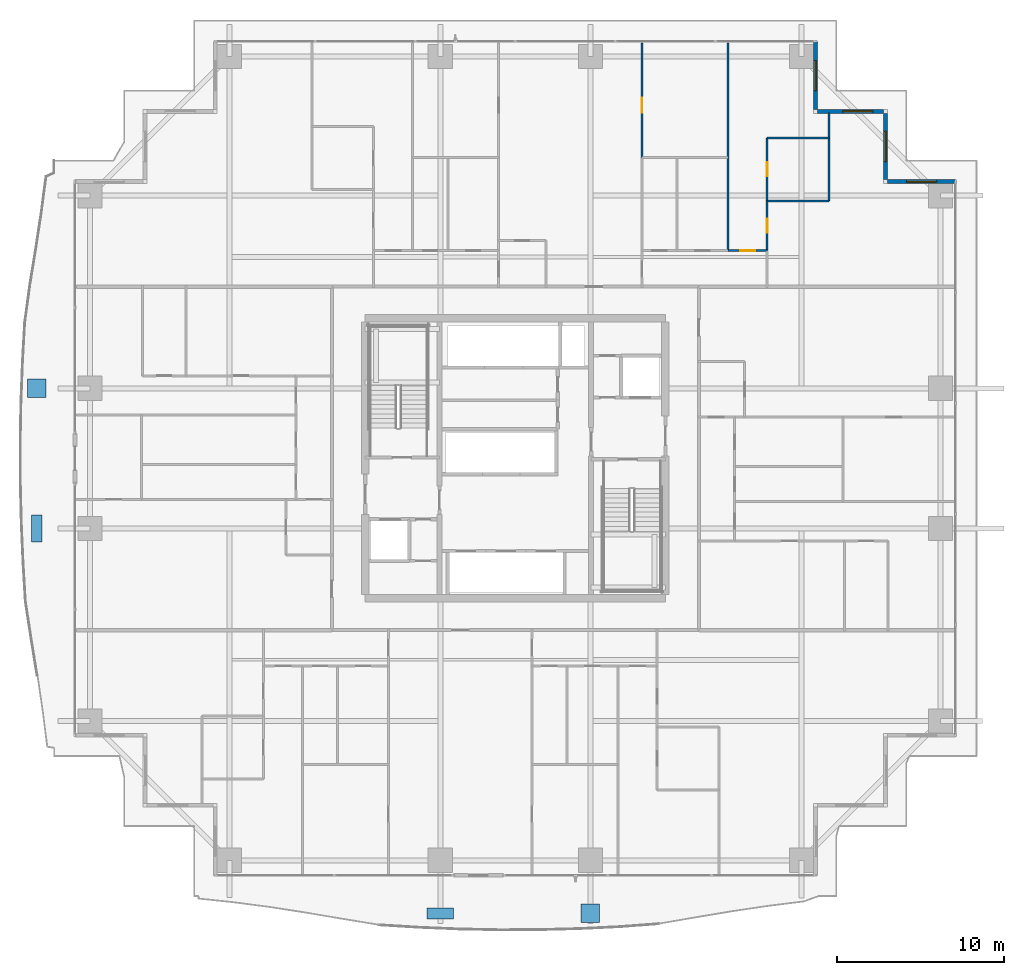
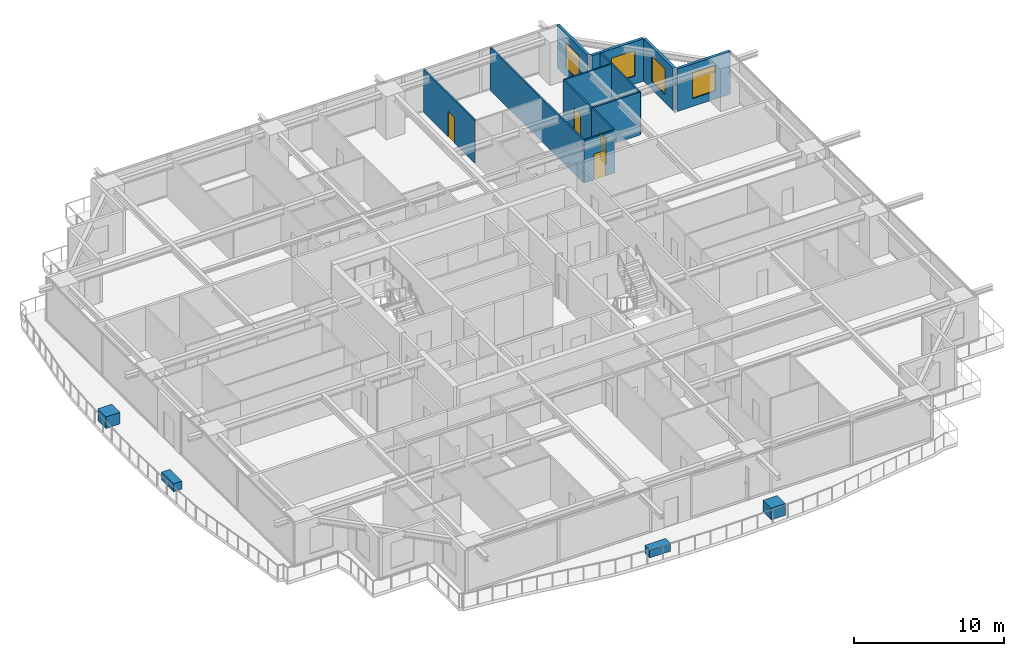
# One storey, part 32 of 41: 12 walls, 4 discrete accessories, 4 doors, 4 windows, 8 openings.
"""IFC4 building model written with IfcOpenShell, lengths in metres."""

from ifc_helpers import new_model, si_unit, direction, frame, frame_2d, origin, origin_2d, place, context, subcontext, project, spatial, rectangle, extrude, source, transform, mapped, material, layer, layer_set, type_object, element, fill, save


model = new_model("IFC4")

# Units and contexts
model_context = context("Model", 3, precision=1e-05, world=origin(), true_north=direction((0.0, 1.0)))
body_context = subcontext(model_context, "Body", "Model", "MODEL_VIEW")
ifc_project = project(units=[si_unit("LENGTHUNIT", "METRE"), si_unit("AREAUNIT", "SQUARE_METRE"), si_unit("VOLUMEUNIT", "CUBIC_METRE"), si_unit("PLANEANGLEUNIT", "RADIAN"), si_unit("MASSUNIT", "GRAM", prefix="KILO")], contexts=[model_context])

# Site, building, storey
site_placement = place(None, origin())
site = spatial("IfcSite", under=ifc_project, at=site_placement, CompositionType="ELEMENT")
building_placement = place(site_placement, origin())
building = spatial("IfcBuilding", under=site, at=building_placement, Name="Serunith Strait Residences", CompositionType="ELEMENT")
storey_placement = place(building_placement, frame((0.0, 0.0, 75.449951171875)))
storey = spatial("IfcBuildingStorey", under=building, at=storey_placement, Name="L18", CompositionType="ELEMENT", Elevation=75.449951171875)

# Wall, opening, window
ifc_material_1 = material(Name="Pale-Champagne Aluminium Insulated Panel", Category="aluminium")
ifc_layer_1 = layer(ifc_material_1, 0.219970703125, Name="Pale-Champagne Aluminium Insulated Panel")
ifc_layer_set_1 = layer_set([ifc_layer_1], Name="Pale-Champagne Aluminium Insulated Panel")
wall_type_1 = type_object("IfcWallType", Name="EW-ALUM-220", PredefinedType="ELEMENTEDWALL", material=ifc_layer_set_1)
wall_1_placement = place(storey_placement, frame((58.800048828125, 41.800048828125, 0.0), z_axis=(0.0, 0.0, 1.0), x_axis=(-1.0, 0.0, 0.0)))
wall_1 = element("IfcWall", 1, at=wall_1_placement, inside=storey, type_object=wall_type_1, Name="L18 Girih Serrated Corner Wall 07", PredefinedType="ELEMENTEDWALL", context=body_context, shape_type="SweptSolid", body=[
    extrude(rectangle(XDim=4.090087890625, YDim=0.219970703125, at=frame_2d((2.044921875, 0.0))), origin(), (0.0, 0.0, 1.0), 3.47509765625),
])
opening_1_placement = place(wall_1_placement, frame((1.14501953125, 0.0, 0.64990234375)))
opening_1 = element("IfcOpeningElement", 2, at=opening_1_placement, cuts=wall_1, Name="Opening W-01", PredefinedType="OPENING", context=body_context, shape_type="SweptSolid", body=[
    extrude(rectangle(XDim=1.800048828125, YDim=2.10009765625, at=frame_2d((0.89990234375, 1.050048828125))), frame((0.0, 0.1201171875, 0.0), z_axis=(0.0, -1.0, 0.0), x_axis=(1.0, 0.0, 0.0)), (0.0, 0.0, 1.0), 0.239990234375),
])
ifc_material_2 = material(Name="Ceramic-Fritted Operable Aluminium Window Glass", Category="aluminium")
window_type = type_object("IfcWindowType", Name="WIN-C1", PartitioningType="DOUBLE_PANEL_VERTICAL", PredefinedType="WINDOW", material=ifc_material_2)
shared_shape_1 = source(origin(), body_context, "Body", "SweptSolid", [
    extrude(rectangle(XDim=1.800048828125, YDim=2.10009765625, at=frame_2d((0.89990234375, 1.050048828125))), frame((0.0, 0.030029296875, 0.0), z_axis=(0.0, -1.0, 0.0), x_axis=(1.0, 0.0, 0.0)), (0.0, 0.0, 1.0), 0.06005859375),
])
window_1_placement = place(opening_1_placement, origin())
window_1 = element("IfcWindow", 3, at=window_1_placement, inside=storey, type_object=window_type, Name="L18 Corner Operable Fritted Window 07", OverallHeight=2.10009765625, OverallWidth=1.800048828125, PartitioningType="SINGLE_PANEL", PredefinedType="WINDOW", context=body_context, shape_type="MappedRepresentation", body=[
    mapped(shared_shape_1, transform((0.0, 0.0, 0.0), scale=1.0)),
])
fill(opening_1, window_1)

wall_2_placement = place(storey_placement, frame((54.60009765625, 41.909912109375, 0.0), z_axis=(0.0, 0.0, 1.0), x_axis=(0.0, 1.0, 0.0)))
wall_2 = element("IfcWall", 4, at=wall_2_placement, inside=storey, type_object=wall_type_1, Name="L18 Girih Serrated Corner Wall 08", PredefinedType="ELEMENTEDWALL", context=body_context, shape_type="SweptSolid", body=[
    extrude(rectangle(XDim=3.97998046875, YDim=0.219970703125, at=frame_2d((1.989990234375, 0.0))), origin(), (0.0, 0.0, 1.0), 3.47509765625),
])
opening_2_placement = place(wall_2_placement, frame((1.090087890625, 0.0, 0.64990234375)))
opening_2 = element("IfcOpeningElement", 5, at=opening_2_placement, cuts=wall_2, Name="Opening W-01", PredefinedType="OPENING", context=body_context, shape_type="SweptSolid", body=[
    extrude(rectangle(XDim=1.800048828125, YDim=2.10009765625, at=frame_2d((0.89990234375, 1.050048828125))), frame((0.0, 0.1201171875, 0.0), z_axis=(0.0, -1.0, 0.0), x_axis=(1.0, 0.0, 0.0)), (0.0, 0.0, 1.0), 0.239990234375),
])
window_2_placement = place(opening_2_placement, origin())
window_2 = element("IfcWindow", 6, at=window_2_placement, inside=storey, type_object=window_type, Name="L18 Corner Operable Fritted Window 08", OverallHeight=2.10009765625, OverallWidth=1.800048828125, PartitioningType="SINGLE_PANEL", PredefinedType="WINDOW", context=body_context, shape_type="MappedRepresentation", body=[
    mapped(shared_shape_1, transform((0.0, 0.0, 0.0), scale=1.0)),
])
fill(opening_2, window_2)

wall_3_placement = place(storey_placement, frame((54.489990234375, 46.0, 0.0), z_axis=(0.0, 0.0, 1.0), x_axis=(-1.0, 0.0, 0.0)))
wall_3 = element("IfcWall", 7, at=wall_3_placement, inside=storey, type_object=wall_type_1, Name="L18 Girih Serrated Corner Wall 09", PredefinedType="ELEMENTEDWALL", context=body_context, shape_type="SweptSolid", body=[
    extrude(rectangle(XDim=3.97998046875, YDim=0.219970703125, at=frame_2d((1.989990234375, 0.0))), origin(), (0.0, 0.0, 1.0), 3.47509765625),
])
opening_3_placement = place(wall_3_placement, frame((0.654052734375, 0.0, 0.64990234375)))
opening_3 = element("IfcOpeningElement", 8, at=opening_3_placement, cuts=wall_3, Name="Opening W-01", PredefinedType="OPENING", context=body_context, shape_type="SweptSolid", body=[
    extrude(rectangle(XDim=1.800048828125, YDim=2.10009765625, at=frame_2d((0.89990234375, 1.050048828125))), frame((0.0, 0.1201171875, 0.0), z_axis=(0.0, -1.0, 0.0), x_axis=(1.0, 0.0, 0.0)), (0.0, 0.0, 1.0), 0.239990234375),
])
window_3_placement = place(opening_3_placement, origin())
window_3 = element("IfcWindow", 9, at=window_3_placement, inside=storey, type_object=window_type, Name="L18 Corner Operable Fritted Window 09", OverallHeight=2.10009765625, OverallWidth=1.800048828125, PartitioningType="SINGLE_PANEL", PredefinedType="WINDOW", context=body_context, shape_type="MappedRepresentation", body=[
    mapped(shared_shape_1, transform((0.0, 0.0, 0.0), scale=1.0)),
])
fill(opening_3, window_3)

wall_4_placement = place(storey_placement, frame((50.39990234375, 46.110107421875, 0.0), z_axis=(0.0, 0.0, 1.0), x_axis=(0.0, 1.0, 0.0)))
wall_4 = element("IfcWall", 10, at=wall_4_placement, inside=storey, type_object=wall_type_1, Name="L18 Girih Serrated Corner Wall 10", PredefinedType="ELEMENTEDWALL", context=body_context, shape_type="SweptSolid", body=[
    extrude(rectangle(XDim=4.08984375, YDim=0.219970703125, at=frame_2d((2.044921875, 0.0))), origin(), (0.0, 0.0, 1.0), 3.47509765625),
])
opening_4_placement = place(wall_4_placement, frame((1.14501953125, 0.0, 0.64990234375)))
opening_4 = element("IfcOpeningElement", 11, at=opening_4_placement, cuts=wall_4, Name="Opening W-01", PredefinedType="OPENING", context=body_context, shape_type="SweptSolid", body=[
    extrude(rectangle(XDim=1.800048828125, YDim=2.10009765625, at=frame_2d((0.89990234375, 1.050048828125))), frame((0.0, 0.1201171875, 0.0), z_axis=(0.0, -1.0, 0.0), x_axis=(1.0, 0.0, 0.0)), (0.0, 0.0, 1.0), 0.239990234375),
])
window_4_placement = place(opening_4_placement, origin())
window_4 = element("IfcWindow", 12, at=window_4_placement, inside=storey, type_object=window_type, Name="L18 Corner Operable Fritted Window 10", OverallHeight=2.10009765625, OverallWidth=1.800048828125, PartitioningType="SINGLE_PANEL", PredefinedType="WINDOW", context=body_context, shape_type="MappedRepresentation", body=[
    mapped(shared_shape_1, transform((0.0, 0.0, 0.0), scale=1.0)),
])
fill(opening_4, window_4)

# Wall, opening, door
ifc_material_3 = material(Name="Lightweight steel-stud gypsum partition", Category="steel")
ifc_layer_2 = layer(ifc_material_3, 0.1201171875, Name="Lightweight steel-stud gypsum partition")
ifc_layer_set_2 = layer_set([ifc_layer_2], Name="Lightweight steel-stud gypsum partition")
wall_type_2 = type_object("IfcWallType", Name="IW-PART-120", PredefinedType="PARTITIONING", material=ifc_layer_set_2)
wall_5_placement = place(storey_placement, frame((40.0, 50.10498046875, 0.0), z_axis=(0.0, 0.0, 1.0), x_axis=(0.0, -1.0, 0.0)))
wall_5 = element("IfcWall", 13, at=wall_5_placement, inside=storey, type_object=wall_type_2, Name="L18 Partition Wall 073", PredefinedType="PARTITIONING", context=body_context, shape_type="SweptSolid", body=[
    extrude(rectangle(XDim=6.85107421875, YDim=0.1201171875, at=frame_2d((3.425537109375, 0.0))), origin(), (0.0, 0.0, 1.0), 3.489990234375),
])
opening_5_placement = place(wall_5_placement, frame((3.27294921875, 0.0, 0.0)))
opening_5 = element("IfcOpeningElement", 14, at=opening_5_placement, cuts=wall_5, Name="Opening D-RM900", PredefinedType="OPENING", context=body_context, shape_type="SweptSolid", body=[
    extrude(rectangle(XDim=0.89990234375, YDim=2.10009765625, at=frame_2d((0.449951171875, 1.050048828125))), frame((0.0, 0.070068359375, 0.0), z_axis=(0.0, -1.0, 0.0), x_axis=(1.0, 0.0, 0.0)), (0.0, 0.0, 1.0), 0.14013671875),
])
ifc_material_4 = material(Name="Engineered timber flush bedroom door", Category="wood")
door_type_1 = type_object("IfcDoorType", Name="ID-ROOM-900", OperationType="NOTDEFINED", PredefinedType="DOOR", material=ifc_material_4)
shared_shape_2 = source(origin(), body_context, "Body", "SweptSolid", [
    extrude(rectangle(XDim=0.89990234375, YDim=2.10009765625, at=frame_2d((0.449951171875, 1.050048828125))), frame((0.0, 0.02490234375, 0.0), z_axis=(0.0, -1.0, 0.0), x_axis=(1.0, 0.0, 0.0)), (0.0, 0.0, 1.0), 0.050048828125),
])
door_1_placement = place(opening_5_placement, origin())
door_1 = element("IfcDoor", 15, at=door_1_placement, inside=storey, type_object=door_type_1, Name="L18 Formal Dining Room 3 1802 Door", OperationType="SINGLE_SWING_LEFT", OverallHeight=2.10009765625, OverallWidth=0.89990234375, PredefinedType="DOOR", context=body_context, shape_type="MappedRepresentation", body=[
    mapped(shared_shape_2, transform((0.0, 0.0, 0.0), scale=1.0)),
])
fill(opening_5, door_1)

# Wall
wall_6_placement = place(storey_placement, frame((45.14990234375, 50.10498046875, 0.0), z_axis=(0.0, 0.0, 1.0), x_axis=(0.0, -1.0, 0.0)))
element("IfcWall", 16, at=wall_6_placement, inside=storey, type_object=wall_type_2, Name="L18 Partition Wall 076", PredefinedType="PARTITIONING", context=body_context, shape_type="SweptSolid", body=[
    extrude(rectangle(XDim=12.455078125, YDim=0.1201171875, at=frame_2d((6.2275390625, 0.0))), origin(), (0.0, 0.0, 1.0), 3.489990234375),
])

# Wall, opening, door
wall_7_placement = place(storey_placement, frame((45.152099609375, 37.64990234375, 0.0), z_axis=(0.0, 0.0, 1.0), x_axis=(1.0, 0.0, 0.0)))
wall_7 = element("IfcWall", 17, at=wall_7_placement, inside=storey, type_object=wall_type_2, Name="L18 Partition Wall 080", PredefinedType="PARTITIONING", context=body_context, shape_type="SweptSolid", body=[
    extrude(rectangle(XDim=2.347900390625, YDim=0.1201171875, at=frame_2d((1.173828125, 0.0))), origin(), (0.0, 0.0, 1.0), 3.489990234375),
])
opening_6_placement = place(wall_7_placement, frame((0.72412109375, 0.0, 0.0)))
opening_6 = element("IfcOpeningElement", 18, at=opening_6_placement, cuts=wall_7, Name="Opening D-RM900", PredefinedType="OPENING", context=body_context, shape_type="SweptSolid", body=[
    extrude(rectangle(XDim=0.89990234375, YDim=2.10009765625, at=frame_2d((0.449951171875, 1.050048828125))), frame((0.0, 0.070068359375, 0.0), z_axis=(0.0, -1.0, 0.0), x_axis=(1.0, 0.0, 0.0)), (0.0, 0.0, 1.0), 0.14013671875),
])
door_2_placement = place(opening_6_placement, origin())
door_2 = element("IfcDoor", 19, at=door_2_placement, inside=storey, type_object=door_type_1, Name="L18 Master Bedroom E 1802 Door", OperationType="SINGLE_SWING_RIGHT", OverallHeight=2.10009765625, OverallWidth=0.89990234375, PredefinedType="DOOR", context=body_context, shape_type="MappedRepresentation", body=[
    mapped(shared_shape_2, transform((0.0, 0.0, 0.0), scale=1.0)),
])
fill(opening_6, door_2)

# Walls
wall_8_placement = place(storey_placement, frame((47.5, 44.422119140625, 0.0), z_axis=(0.0, 0.0, 1.0), x_axis=(1.0, 0.0, 0.0)))
element("IfcWall", 20, at=wall_8_placement, inside=storey, type_object=wall_type_2, Name="L18 Partition Wall 081", PredefinedType="PARTITIONING", context=body_context, shape_type="SweptSolid", body=[
    extrude(rectangle(XDim=3.699951171875, YDim=0.1201171875, at=frame_2d((1.85009765625, 0.0))), origin(), (0.0, 0.0, 1.0), 3.489990234375),
])
wall_9_placement = place(storey_placement, frame((51.199951171875, 45.905029296875, 0.0), z_axis=(0.0, 0.0, 1.0), x_axis=(0.0, -1.0, 0.0)))
element("IfcWall", 21, at=wall_9_placement, inside=storey, type_object=wall_type_2, Name="L18 Partition Wall 082", PredefinedType="PARTITIONING", context=body_context, shape_type="SweptSolid", body=[
    extrude(rectangle(XDim=5.26708984375, YDim=0.1201171875, at=frame_2d((2.633544921875, 0.0))), origin(), (0.0, 0.0, 1.0), 3.489990234375),
])
wall_10_placement = place(storey_placement, frame((47.5, 40.637939453125, 0.0), z_axis=(0.0, 0.0, 1.0), x_axis=(1.0, 0.0, 0.0)))
element("IfcWall", 22, at=wall_10_placement, inside=storey, type_object=wall_type_2, Name="L18 Partition Wall 083", PredefinedType="PARTITIONING", context=body_context, shape_type="SweptSolid", body=[
    extrude(rectangle(XDim=3.699951171875, YDim=0.1201171875, at=frame_2d((1.85009765625, 0.0))), origin(), (0.0, 0.0, 1.0), 3.489990234375),
])

# Wall, opening, door
wall_11_placement = place(storey_placement, frame((47.5, 44.422119140625, 0.0), z_axis=(0.0, 0.0, 1.0), x_axis=(0.0, -1.0, 0.0)))
wall_11 = element("IfcWall", 23, at=wall_11_placement, inside=storey, type_object=wall_type_2, Name="L18 Partition Wall 084", PredefinedType="PARTITIONING", context=body_context, shape_type="SweptSolid", body=[
    extrude(rectangle(XDim=3.7841796875, YDim=0.1201171875, at=frame_2d((1.89208984375, 0.0))), origin(), (0.0, 0.0, 1.0), 3.489990234375),
])
opening_7_placement = place(wall_11_placement, frame((1.467041015625, 0.0, 0.0)))
opening_7 = element("IfcOpeningElement", 24, at=opening_7_placement, cuts=wall_11, Name="Opening D-BTH850", PredefinedType="OPENING", context=body_context, shape_type="SweptSolid", body=[
    extrude(rectangle(XDim=0.85009765625, YDim=2.10009765625, at=frame_2d((0.425048828125, 1.050048828125))), frame((0.0, 0.070068359375, 0.0), z_axis=(0.0, -1.0, 0.0), x_axis=(1.0, 0.0, 0.0)), (0.0, 0.0, 1.0), 0.14013671875),
])
ifc_material_5 = material(Name="Moisture-resistant timber bathroom door", Category="wood")
door_type_2 = type_object("IfcDoorType", Name="ID-BATH-850", OperationType="NOTDEFINED", PredefinedType="DOOR", material=ifc_material_5)
shared_shape_3 = source(origin(), body_context, "Body", "SweptSolid", [
    extrude(rectangle(XDim=0.85009765625, YDim=2.10009765625, at=frame_2d((0.425048828125, 1.050048828125))), frame((0.0, 0.02490234375, 0.0), z_axis=(0.0, -1.0, 0.0), x_axis=(1.0, 0.0, 0.0)), (0.0, 0.0, 1.0), 0.050048828125),
])
door_3_placement = place(opening_7_placement, origin())
door_3 = element("IfcDoor", 25, at=door_3_placement, inside=storey, type_object=door_type_2, Name="L18 En-suite Bathroom E 1802 Door", OperationType="SINGLE_SWING_LEFT", OverallHeight=2.10009765625, OverallWidth=0.85009765625, PredefinedType="DOOR", context=body_context, shape_type="MappedRepresentation", body=[
    mapped(shared_shape_3, transform((0.0, 0.0, 0.0), scale=1.0)),
])
fill(opening_7, door_3)

wall_12_placement = place(storey_placement, frame((47.5, 40.635986328125, 0.0), z_axis=(0.0, 0.0, 1.0), x_axis=(0.0, -1.0, 0.0)))
wall_12 = element("IfcWall", 26, at=wall_12_placement, inside=storey, type_object=wall_type_2, Name="L18 Partition Wall 085", PredefinedType="PARTITIONING", context=body_context, shape_type="SweptSolid", body=[
    extrude(rectangle(XDim=2.986083984375, YDim=0.1201171875, at=frame_2d((1.4931640625, 0.0))), origin(), (0.0, 0.0, 1.0), 3.489990234375),
])
opening_8_placement = place(wall_12_placement, frame((1.068115234375, 0.0, 0.0)))
opening_8 = element("IfcOpeningElement", 27, at=opening_8_placement, cuts=wall_12, Name="Opening D-RM850", PredefinedType="OPENING", context=body_context, shape_type="SweptSolid", body=[
    extrude(rectangle(XDim=0.85009765625, YDim=2.10009765625, at=frame_2d((0.425048828125, 1.050048828125))), frame((0.0, 0.070068359375, 0.0), z_axis=(0.0, -1.0, 0.0), x_axis=(1.0, 0.0, 0.0)), (0.0, 0.0, 1.0), 0.14013671875),
])
ifc_material_6 = material(Name="Engineered timber flush study and kitchen door", Category="wood")
door_type_3 = type_object("IfcDoorType", Name="ID-ROOM-850", OperationType="NOTDEFINED", PredefinedType="DOOR", material=ifc_material_6)
door_4_placement = place(opening_8_placement, origin())
door_4 = element("IfcDoor", 28, at=door_4_placement, inside=storey, type_object=door_type_3, Name="L18 Wardrobe E 1802 Door", OperationType="SINGLE_SWING_RIGHT", OverallHeight=2.10009765625, OverallWidth=0.85009765625, PredefinedType="DOOR", context=body_context, shape_type="MappedRepresentation", body=[
    mapped(shared_shape_3, transform((0.0, 0.0, 0.0), scale=1.0)),
])
fill(opening_8, door_4)

# Discrete accessories
ifc_material_7 = material(Name="GFRC Root-Anchored Structural Planter")
discrete_accessory_type_1 = type_object("IfcDiscreteAccessoryType", Name="ACC-PLANTER-TREE", PredefinedType="USERDEFINED", material=ifc_material_7)
shared_shape_4 = source(origin(), body_context, "Body", "SweptSolid", [
    extrude(rectangle(XDim=1.10009765625, YDim=1.10009765625, at=origin_2d()), origin(), (0.0, 0.0, 1.0), 0.949951171875),
])
for number, where, z_axis, x_axis, name in (
    (29, (36.89990234375, -2.070556640625, -0.0498046875), (0.0, 0.0, 1.0), (1.0, 0.0, 0.0), "L18 Vertical-Forest Tree Planter 03"),
    (30, (3.701416015625, 29.39990234375, -0.0498046875), (0.0, 0.0, 1.0), (0.0, -1.0, 0.0), "L18 Vertical-Forest Tree Planter 15"),
):
    element("IfcDiscreteAccessory", number, at=place(storey_placement, frame(where, z_axis=z_axis, x_axis=x_axis)), inside=storey, type_object=discrete_accessory_type_1, Name=name, ObjectType="PLANTER", PredefinedType="USERDEFINED", context=body_context, shape_type="MappedRepresentation", body=[
        mapped(shared_shape_4, transform((0.0, 0.0, 0.0), scale=1.0)),
    ])
ifc_material_8 = material(Name="GFRC Irrigated Shrub Trough Planter")
discrete_accessory_type_2 = type_object("IfcDiscreteAccessoryType", Name="ACC-PLANTER-SHRUB", PredefinedType="USERDEFINED", material=ifc_material_8)
shared_shape_5 = source(origin(), body_context, "Body", "SweptSolid", [
    extrude(rectangle(XDim=1.60009765625, YDim=0.64990234375, at=origin_2d()), origin(), (0.0, 0.0, 1.0), 0.64990234375),
])
for number, where, z_axis, x_axis, name in (
    (31, (27.89990234375, -2.077880859375, -0.0498046875), (0.0, 0.0, 1.0), (1.0, 0.0, 0.0), "L18 Vertical-Forest Shrub Planter 02"),
    (32, (3.707275390625, 21.0, -0.0498046875), (0.0, 0.0, 1.0), (0.0, -1.0, 0.0), "L18 Vertical-Forest Shrub Planter 14"),
):
    element("IfcDiscreteAccessory", number, at=place(storey_placement, frame(where, z_axis=z_axis, x_axis=x_axis)), inside=storey, type_object=discrete_accessory_type_2, Name=name, ObjectType="PLANTER", PredefinedType="USERDEFINED", context=body_context, shape_type="MappedRepresentation", body=[
        mapped(shared_shape_5, transform((0.0, 0.0, 0.0), scale=1.0)),
    ])

save(model, "model.ifc")
